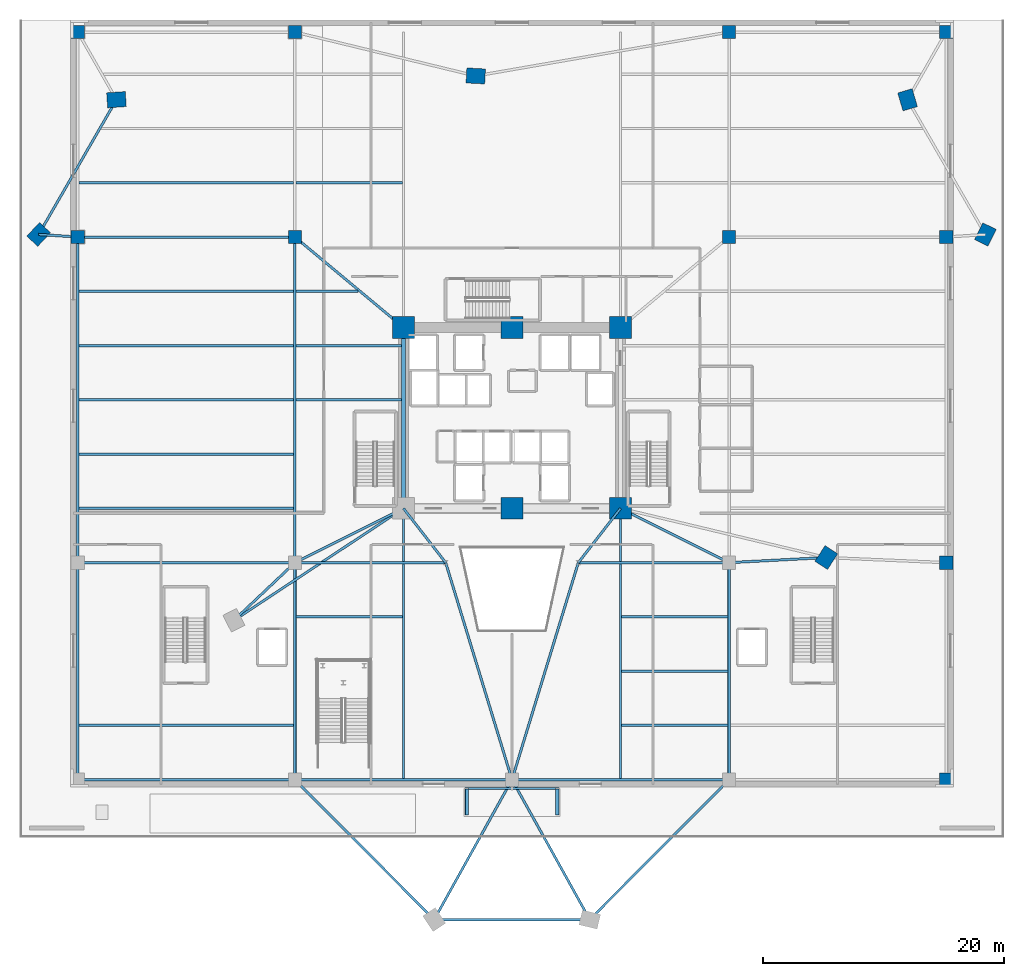
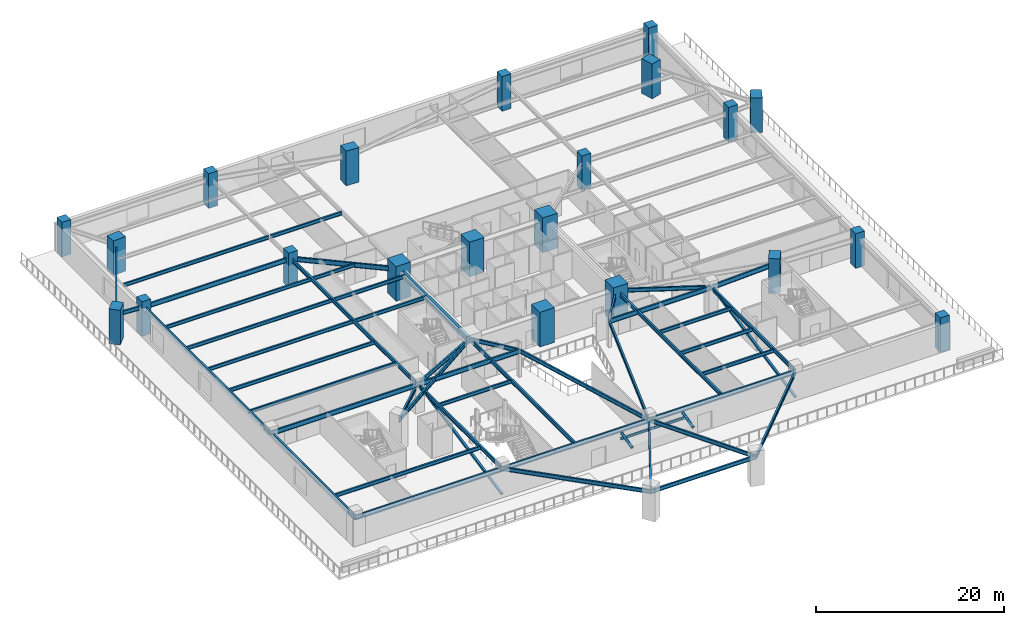
# One storey, part 3 of 19: 48 beams, 21 columns, 4 members.
"""IFC4 building model written with IfcOpenShell, lengths in metres."""

import ifcopenshell
import ifcopenshell.guid

model = None  # the IFC model being written
_history = None  # IfcOwnerHistory: only IFC2X3 demands one
_inside = {}  # id of a spatial element -> (the spatial element, [elements in it])
_under = {}  # id of a project, library or spatial element -> (it, [spatial elements below it])
_declared = {}  # id of a project -> (the project, [libraries it declares])
_typed = {}  # id of a type object -> (the type object, [elements of that type])
_made_of = {}  # id of a material, layer set ... -> (it, [elements and type objects made of it])


def new_model(schema):
    """Start an empty IFC model of exactly this schema.

    Asked for "IFC4X3", IfcOpenShell would pick the latest addendum, in which some entities
    have other attributes; the version numbers below select the first issue.
    IFC2X3 requires an IfcOwnerHistory on every rooted entity: one is made here for all.
    """
    global model, _history
    if schema == "IFC4X3":
        model = ifcopenshell.file(schema_version=(4, 3, 0, 0))
    else:
        model = ifcopenshell.file(schema=schema)
    _inside.clear()
    _under.clear()
    _declared.clear()
    _typed.clear()
    _made_of.clear()
    _history = None
    if model.schema == "IFC2X3":
        org = make("IfcOrganization", Name="unknown")
        user = make(
            "IfcPersonAndOrganization",
            ThePerson=make("IfcPerson", FamilyName="unknown"),
            TheOrganization=org,
        )
        app = make(
            "IfcApplication",
            ApplicationDeveloper=org,
            Version="unknown",
            ApplicationFullName="unknown",
            ApplicationIdentifier="unknown",
        )
        _history = make(
            "IfcOwnerHistory",
            OwningUser=user,
            OwningApplication=app,
            ChangeAction="ADDED",
            CreationDate=0,
        )
    return model


def make(cls, **values):
    """One entity of the class cls with the attributes given. An attribute that is None is left unset."""
    return model.create_entity(
        cls, **{name: value for name, value in values.items() if value is not None}
    )


def rooted(cls, **values):
    """An entity with a GlobalId (a new one), such as an element, a storey or a relation."""
    return make(cls, GlobalId=ifcopenshell.guid.new(), OwnerHistory=_history, **values)


def si_unit(unit_type, name, prefix=None):
    """IfcSIUnit, for example si_unit("LENGTHUNIT", "METRE", prefix="MILLI")."""
    return make("IfcSIUnit", UnitType=unit_type, Prefix=prefix, Name=name)


def assignment(units):
    """IfcUnitAssignment: the units of a project."""
    return None if units is None else make("IfcUnitAssignment", Units=units)


def point(xyz):
    """IfcCartesianPoint."""
    return None if xyz is None else make("IfcCartesianPoint", Coordinates=xyz)


def direction(xyz):
    """IfcDirection."""
    return None if xyz is None else make("IfcDirection", DirectionRatios=xyz)


def frame(location, z_axis=None, x_axis=None):
    """IfcAxis2Placement3D, a coordinate frame: its origin and axes. An axis left out is left unset."""
    return make(
        "IfcAxis2Placement3D",
        Location=point(location),
        Axis=direction(z_axis),
        RefDirection=direction(x_axis),
    )


def frame_2d(location, x_axis=None):
    """IfcAxis2Placement2D, a coordinate frame in the plane: its origin and x axis."""
    return make(
        "IfcAxis2Placement2D", Location=point(location), RefDirection=direction(x_axis)
    )


def origin():
    """The frame at (0, 0, 0) with its axes left unset."""
    return frame((0.0, 0.0, 0.0))


def origin_2d():
    """The frame at (0, 0) in the plane with its x axis left unset."""
    return frame_2d((0.0, 0.0))


def place(relative_to, where):
    """IfcLocalPlacement: puts the frame where relative to a parent placement (None: the world)."""
    return make(
        "IfcLocalPlacement", PlacementRelTo=relative_to, RelativePlacement=where
    )


def context(
    kind, dimensions, precision=None, world=None, true_north=None, identifier=None
):
    """IfcGeometricRepresentationContext, for example the 3D "Model" context."""
    return make(
        "IfcGeometricRepresentationContext",
        ContextIdentifier=identifier,
        ContextType=kind,
        CoordinateSpaceDimension=dimensions,
        Precision=precision,
        WorldCoordinateSystem=world,
        TrueNorth=true_north,
    )


def subcontext(parent, identifier, kind, view, scale=None):
    """IfcGeometricRepresentationSubContext, for example "Body" below "Model"."""
    return make(
        "IfcGeometricRepresentationSubContext",
        ContextIdentifier=identifier,
        ContextType=kind,
        ParentContext=parent,
        TargetScale=scale,
        TargetView=view,
    )


def project(units=None, contexts=None):
    """IfcProject with its units and contexts."""
    return rooted(
        "IfcProject",
        Name="project",
        RepresentationContexts=contexts,
        UnitsInContext=assignment(units),
    )


def spatial(cls, under=None, at=None, **own):
    """A site, building, storey or space (cls), placed at a placement, below another one or the project."""
    s = rooted(cls, ObjectPlacement=at, **own)
    if under is not None:
        _under.setdefault(under.id(), (under, []))[1].append(s)
    return s


def profile(cls, at=None, kind="AREA", **sizes):
    """A parametric profile (cls). Its sizes go by their IFC names, for example OverallWidth=200.0."""
    return make(cls, ProfileType=kind, Position=at, **sizes)


def rectangle(**sizes):
    """IfcRectangleProfileDef."""
    return profile("IfcRectangleProfileDef", **sizes)


def hollow_rectangle(**sizes):
    """IfcRectangleHollowProfileDef."""
    return profile("IfcRectangleHollowProfileDef", **sizes)


def hollow_circle(**sizes):
    """IfcCircleHollowProfileDef."""
    return profile("IfcCircleHollowProfileDef", **sizes)


def i_section(**sizes):
    """IfcIShapeProfileDef."""
    return profile("IfcIShapeProfileDef", **sizes)


def extrude(swept, where, along, depth):
    """IfcExtrudedAreaSolid: the profile swept, set in the frame where, extruded along a direction by depth."""
    return make(
        "IfcExtrudedAreaSolid",
        SweptArea=swept,
        Position=where,
        ExtrudedDirection=direction(along),
        Depth=depth,
    )


def shape(context_of_items, identifier, shape_type, items):
    """IfcShapeRepresentation: the items that make up one representation, for example the "Body"."""
    return make(
        "IfcShapeRepresentation",
        ContextOfItems=context_of_items,
        RepresentationIdentifier=identifier,
        RepresentationType=shape_type,
        Items=items,
    )


def source(mapping_origin, context_of_items, identifier, shape_type, items):
    """IfcRepresentationMap: a shape defined once, which mapped items show again and again."""
    return make(
        "IfcRepresentationMap",
        MappingOrigin=mapping_origin,
        MappedRepresentation=shape(context_of_items, identifier, shape_type, items),
    )


def transform(
    local_origin,
    x_axis=None,
    y_axis=None,
    z_axis=None,
    scale=None,
    scale2=None,
    scale3=None,
    uniform=True,
):
    """IfcCartesianTransformationOperator3D, or its non-uniform kind. x_axis, y_axis, z_axis: its Axis1, 2, 3."""
    if uniform:
        return make(
            "IfcCartesianTransformationOperator3D",
            Axis1=direction(x_axis),
            Axis2=direction(y_axis),
            LocalOrigin=point(local_origin),
            Scale=scale,
            Axis3=direction(z_axis),
        )
    return make(
        "IfcCartesianTransformationOperator3DnonUniform",
        Axis1=direction(x_axis),
        Axis2=direction(y_axis),
        LocalOrigin=point(local_origin),
        Scale=scale,
        Axis3=direction(z_axis),
        Scale2=scale2,
        Scale3=scale3,
    )


def mapped(mapping_source, mapping_target):
    """IfcMappedItem: shows the shape of a source again, moved by a transform."""
    return make(
        "IfcMappedItem", MappingSource=mapping_source, MappingTarget=mapping_target
    )


def material(Name=None, Category=None):
    """IfcMaterial."""
    return make("IfcMaterial", Name=Name, Category=Category)


def material_profile(
    of_material, cross_section, Name=None, Category=None, Priority=None
):
    """IfcMaterialProfile: a cross section and its material."""
    return make(
        "IfcMaterialProfile",
        Name=Name,
        Material=of_material,
        Profile=cross_section,
        Priority=Priority,
        Category=Category,
    )


def profile_set(profiles, Name=None, composite=None):
    """IfcMaterialProfileSet."""
    return make(
        "IfcMaterialProfileSet",
        Name=Name,
        MaterialProfiles=profiles,
        CompositeProfile=composite,
    )


def made_of(thing, what):
    """Note that an element or type object is made of a material, layer set ...; save() writes the relation."""
    if what is not None:
        _made_of.setdefault(what.id(), (what, []))[1].append(thing)
    return thing


def type_object(cls, material=None, **own):
    """A type object (cls), such as IfcWallType, which elements share."""
    return made_of(rooted(cls, **own), material)


def element(
    cls,
    number,
    at=None,
    inside=None,
    cuts=None,
    type_object=None,
    material=None,
    context=None,
    identifier="Body",
    shape_type=None,
    held_by="IfcProductDefinitionShape",
    body=None,
    shapes=None,
    **own,
):
    """One element of the class cls, such as IfcWall. Its Tag is "e" and its number.

    at: its placement. inside: the storey or other place that contains it. cuts: it is an
    opening in that element (IfcRelVoidsElement). A single representation is given by context,
    identifier, shape_type and body (its items); several are given by shapes. held_by: the class
    of the entity that holds the representations. save() writes the other relations.
    """
    e = rooted(cls, Tag="e%d" % number, ObjectPlacement=at, **own)
    if body is not None:
        shapes = [shape(context, identifier, shape_type, body)]
    if shapes is not None:
        e.Representation = make(held_by, Representations=shapes)
    if inside is not None:
        _inside.setdefault(inside.id(), (inside, []))[1].append(e)
    if cuts is not None:
        rooted(
            "IfcRelVoidsElement", RelatingBuildingElement=cuts, RelatedOpeningElement=e
        )
    if type_object is not None:
        _typed.setdefault(type_object.id(), (type_object, []))[1].append(e)
    return made_of(e, material)


def aggregate(whole, parts):
    """IfcRelAggregates: a whole, such as a stair, and the parts it consists of."""
    return rooted("IfcRelAggregates", RelatingObject=whole, RelatedObjects=parts)


def save(model, path):
    """Write the relations noted so far, then the file.

    IfcRelAggregates (storeys below a building ...), IfcRelContainedInSpatialStructure (elements
    in a storey), IfcRelDefinesByType, IfcRelAssociatesMaterial and IfcRelDeclares: one each for
    every whole, place, type object, material and project.
    """
    for whole, parts in _under.values():
        aggregate(whole, parts)
    for where, things in _inside.values():
        rooted(
            "IfcRelContainedInSpatialStructure",
            RelatedElements=things,
            RelatingStructure=where,
        )
    for kind, things in _typed.values():
        rooted("IfcRelDefinesByType", RelatedObjects=things, RelatingType=kind)
    for what, things in _made_of.values():
        rooted("IfcRelAssociatesMaterial", RelatedObjects=things, RelatingMaterial=what)
    for by, libraries in _declared.values():
        rooted("IfcRelDeclares", RelatingContext=by, RelatedDefinitions=libraries)
    model.write(path)


model = new_model("IFC4")

# Units and contexts
model_context = context("Model", 3, precision=1e-05, world=origin(), true_north=direction((0.0, 1.0)))
body_context = subcontext(model_context, "Body", "Model", "MODEL_VIEW")
ifc_project = project(units=[si_unit("LENGTHUNIT", "METRE"), si_unit("AREAUNIT", "SQUARE_METRE"), si_unit("VOLUMEUNIT", "CUBIC_METRE"), si_unit("PLANEANGLEUNIT", "RADIAN"), si_unit("MASSUNIT", "GRAM", prefix="KILO")], contexts=[model_context])

# Site, building, storey
site_placement = place(None, origin())
site = spatial("IfcSite", under=ifc_project, at=site_placement, CompositionType="ELEMENT")
building_placement = place(site_placement, origin())
building = spatial("IfcBuilding", under=site, at=building_placement, Name="Liaohun Quay Tower", CompositionType="ELEMENT")
storey_placement = place(building_placement, frame((0.0, 0.0, 18.89990234375)))
storey = spatial("IfcBuildingStorey", under=building, at=storey_placement, Name="L05", CompositionType="ELEMENT", Elevation=18.89990234375)

# Columns
ifc_material_1 = material(Name="Concrete C60", Category="concrete")
ifc_material_profile_1 = material_profile(ifc_material_1, rectangle(XDim=1.800048828125, YDim=1.800048828125, at=origin_2d()), Name="RC1800x1800")
ifc_profile_set_1 = profile_set([ifc_material_profile_1], Name="Concrete C60")
column_type_1 = type_object("IfcColumnType", Name="COL-CC-B", PredefinedType="COLUMN", material=ifc_profile_set_1)
shared_shape_1 = source(origin(), body_context, "Body", "SweptSolid", [
    extrude(rectangle(XDim=1.800048828125, YDim=1.800048828125, at=origin_2d()), origin(), (0.0, 0.0, 1.0), 4.5),
])
for number, where, z_axis, x_axis, name in (
    (1, (60.0, 46.5, 0.0), (0.0, 0.0, 1.0), (1.0, 0.0, 0.0), "L05 Core Column CC2"),
    (2, (69.0, 46.5, 0.0), (0.0, 0.0, 1.0), (1.0, 0.0, 0.0), "L05 Core Column CC3"),
    (3, (69.0, 61.5, 0.0), (0.0, 0.0, 1.0), (1.0, 0.0, 0.0), "L05 Core Column CC4"),
    (4, (60.0, 61.5, 0.0), (0.0, 0.0, 1.0), (1.0, 0.0, 0.0), "L05 Core Column CC5"),
    (5, (51.0, 61.5, 0.0), (0.0, 0.0, 1.0), (1.0, 0.0, 0.0), "L05 Core Column CC6"),
):
    element("IfcColumn", number, at=place(storey_placement, frame(where, z_axis=z_axis, x_axis=x_axis)), inside=storey, type_object=column_type_1, Name=name, PredefinedType="COLUMN", context=body_context, shape_type="MappedRepresentation", body=[
        mapped(shared_shape_1, transform((0.0, 0.0, 0.0), x_axis=(1.0, 0.0, 0.0), y_axis=(0.0, 1.0, 0.0), z_axis=(0.0, 0.0, 1.0), scale=1.0)),
    ])
ifc_material_profile_2 = material_profile(ifc_material_1, rectangle(XDim=1.550048828125, YDim=1.25, at=origin_2d()), Name="RC1550x1250")
ifc_profile_set_2 = profile_set([ifc_material_profile_2], Name="Concrete C60")
column_type_2 = type_object("IfcColumnType", Name="COL-PIER-Z1", PredefinedType="COLUMN", material=ifc_profile_set_2)
shared_shape_2 = source(origin(), body_context, "Body", "SweptSolid", [
    extrude(rectangle(XDim=1.550048828125, YDim=1.25, at=origin_2d()), origin(), (0.0, 0.0, 1.0), 4.5),
])
for number, where, z_axis, x_axis, name in (
    (6, (20.748046875, 69.217041015625, 0.0), (0.0, 0.0, 1.0), (0.68936671806, 0.724412539946, 0.0), "L05 Tower Mega-Pier PC03"),
    (7, (27.198974609375, 80.39111328125, 0.0), (0.0, 0.0, 1.0), (0.997824541457, 0.065925597951, 0.0), "L05 Tower Mega-Pier PC05"),
    (8, (92.802978515625, 80.384033203125, 0.0), (0.0, 0.0, 1.0), (-0.282676303383, 0.959215360337, 0.0), "L05 Tower Mega-Pier PC07"),
    (9, (99.256103515625, 69.2119140625, 0.0), (0.0, 0.0, 1.0), (0.441819028143, 0.897104200397, 0.0), "L05 Tower Mega-Pier PC09"),
    (10, (56.9951171875, 82.360107421875, 0.0), (0.0, 0.0, 1.0), (-0.998479491627, 0.055124448298, 0.0), "L05 Tower Mega-Pier PC06"),
    (11, (86.06396484375, 42.423095703125, 0.0), (0.0, 0.0, 1.0), (0.546978918409, 0.837146380758, 0.0), "L05 Tower Mega-Pier PC10"),
):
    element("IfcColumn", number, at=place(storey_placement, frame(where, z_axis=z_axis, x_axis=x_axis)), inside=storey, type_object=column_type_2, Name=name, PredefinedType="COLUMN", context=body_context, shape_type="MappedRepresentation", body=[
        mapped(shared_shape_2, transform((0.0, 0.0, 0.0), x_axis=(1.0, 0.0, 0.0), y_axis=(0.0, 1.0, 0.0), z_axis=(0.0, 0.0, 1.0), scale=1.0)),
    ])
ifc_material_2 = material(Name="Concrete C55", Category="concrete")
ifc_material_profile_3 = material_profile(ifc_material_2, rectangle(XDim=1.10009765625, YDim=1.10009765625, at=origin_2d()), Name="RC1100x1100")
ifc_profile_set_3 = profile_set([ifc_material_profile_3], Name="Concrete C55")
column_type_3 = type_object("IfcColumnType", Name="COL-POD-P", PredefinedType="COLUMN", material=ifc_profile_set_3)
shared_shape_3 = source(origin(), body_context, "Body", "SweptSolid", [
    extrude(rectangle(XDim=1.10009765625, YDim=1.10009765625, at=origin_2d()), origin(), (0.0, 0.0, 1.0), 4.5),
])
for number, where, z_axis, x_axis, name in (
    (12, (96.0, 24.0, 0.0), (0.0, 0.0, 1.0), (1.0, 0.0, 0.0), "L05 Podium Column PG05"),
    (13, (96.0, 42.0, 0.0), (0.0, 0.0, 1.0), (1.0, 0.0, 0.0), "L05 Podium Column PG09"),
    (14, (24.0, 69.0, 0.0), (0.0, 0.0, 1.0), (1.0, 0.0, 0.0), "L05 Podium Column PG10"),
    (15, (42.0, 69.0, 0.0), (0.0, 0.0, 1.0), (1.0, 0.0, 0.0), "L05 Podium Column PG11"),
    (16, (78.0, 69.0, 0.0), (0.0, 0.0, 1.0), (1.0, 0.0, 0.0), "L05 Podium Column PG12"),
    (17, (96.0, 69.0, 0.0), (0.0, 0.0, 1.0), (1.0, 0.0, 0.0), "L05 Podium Column PG13"),
    (18, (24.0, 86.0, 0.0), (0.0, 0.0, 1.0), (1.0, 0.0, 0.0), "L05 Podium Column PG14"),
    (19, (42.0, 86.0, 0.0), (0.0, 0.0, 1.0), (1.0, 0.0, 0.0), "L05 Podium Column PG15"),
    (20, (78.0, 86.0, 0.0), (0.0, 0.0, 1.0), (1.0, 0.0, 0.0), "L05 Podium Column PG17"),
    (21, (96.0, 86.0, 0.0), (0.0, 0.0, 1.0), (1.0, 0.0, 0.0), "L05 Podium Column PG18"),
):
    element("IfcColumn", number, at=place(storey_placement, frame(where, z_axis=z_axis, x_axis=x_axis)), inside=storey, type_object=column_type_3, Name=name, PredefinedType="COLUMN", context=body_context, shape_type="MappedRepresentation", body=[
        mapped(shared_shape_3, transform((0.0, 0.0, 0.0), x_axis=(1.0, 0.0, 0.0), y_axis=(0.0, 1.0, 0.0), z_axis=(0.0, 0.0, 1.0), scale=1.0)),
    ])

# Beams
ifc_material_3 = material(Name="Steel Q355D", Category="steel")
ifc_material_profile_4 = material_profile(ifc_material_3, i_section(OverallWidth=0.300048828125, OverallDepth=0.800048828125, WebThickness=0.013916015625, FlangeThickness=0.02587890625, at=origin_2d()), Name="HN800x300x14x26")
ifc_profile_set_4 = profile_set([ifc_material_profile_4], Name="Steel Q355D")
beam_type_1 = type_object("IfcBeamType", Name="BM-RAD-M1", PredefinedType="BEAM", material=ifc_profile_set_4)
shared_shape_4 = source(origin(), body_context, "Body", "SweptSolid", [
    extrude(i_section(OverallWidth=0.300048828125, OverallDepth=0.800048828125, WebThickness=0.013916015625, FlangeThickness=0.02587890625, at=origin_2d()), origin(), (0.0, 0.0, 1.0), 15.0),
])
beam_1_placement = place(storey_placement, frame((51.0, 61.5, 3.2001953125), z_axis=(0.0, -1.0, 0.0), x_axis=(1.0, 0.0, 0.0)))
element("IfcBeam", 22, at=beam_1_placement, inside=storey, type_object=beam_type_1, Name="L05 Core Coupling/Ring Beam CC6-CC1", PredefinedType="BEAM", context=body_context, shape_type="MappedRepresentation", body=[
    mapped(shared_shape_4, transform((0.0, 0.0, 0.0), x_axis=(1.0, 0.0, 0.0), y_axis=(0.0, 1.0, 0.0), z_axis=(0.0, 0.0, 1.0), scale=1.0)),
])
ifc_material_profile_5 = material_profile(ifc_material_3, i_section(OverallWidth=0.199951171875, OverallDepth=0.5, WebThickness=0.010009765625, FlangeThickness=0.01611328125, at=origin_2d()), Name="HN500x200x10x16")
ifc_profile_set_5 = profile_set([ifc_material_profile_5], Name="Steel Q355D")
beam_type_2 = type_object("IfcBeamType", Name="BM-POD-G3", PredefinedType="BEAM", material=ifc_profile_set_5)
shared_shape_5 = source(origin(), body_context, "Body", "SweptSolid", [
    extrude(i_section(OverallWidth=0.199951171875, OverallDepth=0.5, WebThickness=0.010009765625, FlangeThickness=0.01611328125, at=origin_2d()), origin(), (0.0, 0.0, 1.0), 27.0),
])
for number, where, z_axis, x_axis, name in (
    (23, (24.0, 42.0, 3.35009765625), (0.0, 1.0, 0.0), (-1.0, 0.0, 0.0), "L05 Primary Grid Girder PG06-PG10"),
    (24, (42.0, 42.0, 3.35009765625), (0.0, 1.0, 0.0), (-1.0, 0.0, 0.0), "L05 Primary Grid Girder PG07-PG11"),
):
    element("IfcBeam", number, at=place(storey_placement, frame(where, z_axis=z_axis, x_axis=x_axis)), inside=storey, type_object=beam_type_2, Name=name, PredefinedType="BEAM", context=body_context, shape_type="MappedRepresentation", body=[
        mapped(shared_shape_5, transform((0.0, 0.0, 0.0), x_axis=(1.0, 0.0, 0.0), y_axis=(0.0, 1.0, 0.0), z_axis=(0.0, 0.0, 1.0), scale=1.0)),
    ])
shared_shape_6 = source(origin(), body_context, "Body", "SweptSolid", [
    extrude(i_section(OverallWidth=0.199951171875, OverallDepth=0.5, WebThickness=0.010009765625, FlangeThickness=0.01611328125, at=origin_2d()), origin(), (0.0, 0.0, 1.0), 18.0),
])
for number, where, z_axis, x_axis, name in (
    (25, (42.0, 24.0, 3.35009765625), (0.0, 1.0, 0.0), (-1.0, 0.0, 0.0), "L05 Primary Grid Girder PG02-PG07"),
    (26, (78.0, 24.0, 3.35009765625), (0.0, 1.0, 0.0), (-1.0, 0.0, 0.0), "L05 Primary Grid Girder PG04-PG08"),
):
    element("IfcBeam", number, at=place(storey_placement, frame(where, z_axis=z_axis, x_axis=x_axis)), inside=storey, type_object=beam_type_2, Name=name, PredefinedType="BEAM", context=body_context, shape_type="MappedRepresentation", body=[
        mapped(shared_shape_6, transform((0.0, 0.0, 0.0), x_axis=(1.0, 0.0, 0.0), y_axis=(0.0, 1.0, 0.0), z_axis=(0.0, 0.0, 1.0), scale=1.0)),
    ])
shared_shape_7 = source(origin(), body_context, "Body", "SweptSolid", [
    extrude(i_section(OverallWidth=0.199951171875, OverallDepth=0.5, WebThickness=0.010009765625, FlangeThickness=0.01611328125, at=origin_2d()), origin(), (0.0, 0.0, 1.0), 10.062255859375),
])
for number, where, z_axis, x_axis, name in (
    (27, (42.0, 42.0, 3.35009765625), (0.894427191, 0.4472135955, 0.0), (-0.4472135955, 0.894427191, 0.0), "L05 Primary Grid Girder PG07-CC1"),
    (28, (78.0, 42.0, 3.35009765625), (-0.894427191, 0.4472135955, 0.0), (-0.4472135955, -0.894427191, 0.0), "L05 Primary Grid Girder PG08-CC3"),
):
    element("IfcBeam", number, at=place(storey_placement, frame(where, z_axis=z_axis, x_axis=x_axis)), inside=storey, type_object=beam_type_2, Name=name, PredefinedType="BEAM", context=body_context, shape_type="MappedRepresentation", body=[
        mapped(shared_shape_7, transform((0.0, 0.0, 0.0), x_axis=(1.0, 0.0, 0.0), y_axis=(0.0, 1.0, 0.0), z_axis=(0.0, 0.0, 1.0), scale=1.0)),
    ])
shared_shape_8 = source(origin(), body_context, "Body", "SweptSolid", [
    extrude(i_section(OverallWidth=0.199951171875, OverallDepth=0.5, WebThickness=0.010009765625, FlangeThickness=0.01611328125, at=origin_2d()), origin(), (0.0, 0.0, 1.0), 18.821533203125),
])
for number, where, z_axis, x_axis, name in (
    (29, (60.0, 24.0, 3.35009765625), (-0.292218535599, 0.956351571051, 0.0), (-0.956351571051, -0.292218535599, 0.0), "L05 Primary Grid Girder PG03-AT1"),
    (30, (60.0, 24.0, 3.35009765625), (0.292218535599, 0.956351571051, 0.0), (-0.956351571051, 0.292218535599, 0.0), "L05 Primary Grid Girder PG03-AT2"),
):
    element("IfcBeam", number, at=place(storey_placement, frame(where, z_axis=z_axis, x_axis=x_axis)), inside=storey, type_object=beam_type_2, Name=name, PredefinedType="BEAM", context=body_context, shape_type="MappedRepresentation", body=[
        mapped(shared_shape_8, transform((0.0, 0.0, 0.0), x_axis=(1.0, 0.0, 0.0), y_axis=(0.0, 1.0, 0.0), z_axis=(0.0, 0.0, 1.0), scale=1.0)),
    ])
shared_shape_9 = source(origin(), body_context, "Body", "SweptSolid", [
    extrude(i_section(OverallWidth=0.199951171875, OverallDepth=0.5, WebThickness=0.010009765625, FlangeThickness=0.01611328125, at=origin_2d()), origin(), (0.0, 0.0, 1.0), 5.700927734375),
])
for number, where, z_axis, x_axis, name in (
    (31, (54.5, 42.0, 3.35009765625), (-0.613940613515, 0.789352217376, 0.0), (-0.789352217376, -0.613940613515, 0.0), "L05 Primary Grid Girder AT1-CC1"),
    (32, (65.5, 42.0, 3.35009765625), (0.613940613515, 0.789352217376, 0.0), (-0.789352217376, 0.613940613515, 0.0), "L05 Primary Grid Girder AT2-CC3"),
):
    element("IfcBeam", number, at=place(storey_placement, frame(where, z_axis=z_axis, x_axis=x_axis)), inside=storey, type_object=beam_type_2, Name=name, PredefinedType="BEAM", context=body_context, shape_type="MappedRepresentation", body=[
        mapped(shared_shape_9, transform((0.0, 0.0, 0.0), x_axis=(1.0, 0.0, 0.0), y_axis=(0.0, 1.0, 0.0), z_axis=(0.0, 0.0, 1.0), scale=1.0)),
    ])
shared_shape_10 = source(origin(), body_context, "Body", "SweptSolid", [
    extrude(i_section(OverallWidth=0.199951171875, OverallDepth=0.5, WebThickness=0.010009765625, FlangeThickness=0.01611328125, at=origin_2d()), origin(), (0.0, 0.0, 1.0), 16.368896484375),
])
beam_2_placement = place(storey_placement, frame((53.5458984375, 12.39697265625, 3.35009765625), z_axis=(-0.705359574392, 0.708849681395, 0.0), x_axis=(-0.708849681395, -0.705359574392, 0.0)))
element("IfcBeam", 33, at=beam_2_placement, inside=storey, type_object=beam_type_2, Name="L05 Primary Grid Girder PC01-PG02", PredefinedType="BEAM", context=body_context, shape_type="MappedRepresentation", body=[
    mapped(shared_shape_10, transform((0.0, 0.0, 0.0), x_axis=(1.0, 0.0, 0.0), y_axis=(0.0, 1.0, 0.0), z_axis=(0.0, 0.0, 1.0), scale=1.0)),
])
shared_shape_11 = source(origin(), body_context, "Body", "SweptSolid", [
    extrude(i_section(OverallWidth=0.199951171875, OverallDepth=0.5, WebThickness=0.010009765625, FlangeThickness=0.01611328125, at=origin_2d()), origin(), (0.0, 0.0, 1.0), 13.27734375),
])
beam_3_placement = place(storey_placement, frame((53.5458984375, 12.39697265625, 3.35009765625), z_axis=(0.486101867227, 0.87390215395, 0.0), x_axis=(-0.87390215395, 0.486101867227, 0.0)))
element("IfcBeam", 34, at=beam_3_placement, inside=storey, type_object=beam_type_2, Name="L05 Primary Grid Girder PC01-PG03", PredefinedType="BEAM", context=body_context, shape_type="MappedRepresentation", body=[
    mapped(shared_shape_11, transform((0.0, 0.0, 0.0), x_axis=(1.0, 0.0, 0.0), y_axis=(0.0, 1.0, 0.0), z_axis=(0.0, 0.0, 1.0), scale=1.0)),
])
shared_shape_12 = source(origin(), body_context, "Body", "SweptSolid", [
    extrude(i_section(OverallWidth=0.199951171875, OverallDepth=0.5, WebThickness=0.010009765625, FlangeThickness=0.01611328125, at=origin_2d()), origin(), (0.0, 0.0, 1.0), 13.272705078125),
])
beam_4_placement = place(storey_placement, frame((66.447998046875, 12.39892578125, 3.35009765625), z_axis=(-0.485813156466, 0.874062684826, 0.0), x_axis=(-0.874062684826, -0.485813156466, 0.0)))
element("IfcBeam", 35, at=beam_4_placement, inside=storey, type_object=beam_type_2, Name="L05 Primary Grid Girder PC11-PG03", PredefinedType="BEAM", context=body_context, shape_type="MappedRepresentation", body=[
    mapped(shared_shape_12, transform((0.0, 0.0, 0.0), x_axis=(1.0, 0.0, 0.0), y_axis=(0.0, 1.0, 0.0), z_axis=(0.0, 0.0, 1.0), scale=1.0)),
])
shared_shape_13 = source(origin(), body_context, "Body", "SweptSolid", [
    extrude(i_section(OverallWidth=0.199951171875, OverallDepth=0.5, WebThickness=0.010009765625, FlangeThickness=0.01611328125, at=origin_2d()), origin(), (0.0, 0.0, 1.0), 16.371826171875),
])
beam_5_placement = place(storey_placement, frame((66.447998046875, 12.39892578125, 3.35009765625), z_axis=(0.705606504265, 0.708603881685, 0.0), x_axis=(-0.708603881685, 0.705606504265, 0.0)))
element("IfcBeam", 36, at=beam_5_placement, inside=storey, type_object=beam_type_2, Name="L05 Primary Grid Girder PC11-PG04", PredefinedType="BEAM", context=body_context, shape_type="MappedRepresentation", body=[
    mapped(shared_shape_13, transform((0.0, 0.0, 0.0), x_axis=(1.0, 0.0, 0.0), y_axis=(0.0, 1.0, 0.0), z_axis=(0.0, 0.0, 1.0), scale=1.0)),
])
shared_shape_14 = source(origin(), body_context, "Body", "SweptSolid", [
    extrude(i_section(OverallWidth=0.199951171875, OverallDepth=0.5, WebThickness=0.010009765625, FlangeThickness=0.01611328125, at=origin_2d()), origin(), (0.0, 0.0, 1.0), 12.902099609375),
])
beam_6_placement = place(storey_placement, frame((53.5458984375, 12.39697265625, 3.35009765625), z_axis=(0.999999988542, 0.000151380398, 0.0), x_axis=(-0.000151380398, 0.999999988542, 0.0)))
element("IfcBeam", 37, at=beam_6_placement, inside=storey, type_object=beam_type_2, Name="L05 Primary Grid Girder PC01-PC11", PredefinedType="BEAM", context=body_context, shape_type="MappedRepresentation", body=[
    mapped(shared_shape_14, transform((0.0, 0.0, 0.0), x_axis=(1.0, 0.0, 0.0), y_axis=(0.0, 1.0, 0.0), z_axis=(0.0, 0.0, 1.0), scale=1.0)),
])
shared_shape_15 = source(origin(), body_context, "Body", "SweptSolid", [
    extrude(i_section(OverallWidth=0.199951171875, OverallDepth=0.5, WebThickness=0.010009765625, FlangeThickness=0.01611328125, at=origin_2d()), origin(), (0.0, 0.0, 1.0), 6.962158203125),
])
beam_7_placement = place(storey_placement, frame((36.94091796875, 37.217041015625, 3.35009765625), z_axis=(0.726659067673, 0.686998252813, 0.0), x_axis=(-0.686998252813, 0.726659067673, 0.0)))
element("IfcBeam", 38, at=beam_7_placement, inside=storey, type_object=beam_type_2, Name="L05 Primary Grid Girder PC02-PG07", PredefinedType="BEAM", context=body_context, shape_type="MappedRepresentation", body=[
    mapped(shared_shape_15, transform((0.0, 0.0, 0.0), x_axis=(1.0, 0.0, 0.0), y_axis=(0.0, 1.0, 0.0), z_axis=(0.0, 0.0, 1.0), scale=1.0)),
])
shared_shape_16 = source(origin(), body_context, "Body", "SweptSolid", [
    extrude(i_section(OverallWidth=0.199951171875, OverallDepth=0.5, WebThickness=0.010009765625, FlangeThickness=0.01611328125, at=origin_2d()), origin(), (0.0, 0.0, 1.0), 16.84716796875),
])
beam_8_placement = place(storey_placement, frame((36.94091796875, 37.217041015625, 3.35009765625), z_axis=(0.834501195619, 0.551006129285, 0.0), x_axis=(-0.551006129285, 0.834501195619, 0.0)))
element("IfcBeam", 39, at=beam_8_placement, inside=storey, type_object=beam_type_2, Name="L05 Primary Grid Girder PC02-CC1", PredefinedType="BEAM", context=body_context, shape_type="MappedRepresentation", body=[
    mapped(shared_shape_16, transform((0.0, 0.0, 0.0), x_axis=(1.0, 0.0, 0.0), y_axis=(0.0, 1.0, 0.0), z_axis=(0.0, 0.0, 1.0), scale=1.0)),
])
shared_shape_17 = source(origin(), body_context, "Body", "SweptSolid", [
    extrude(i_section(OverallWidth=0.199951171875, OverallDepth=0.5, WebThickness=0.010009765625, FlangeThickness=0.01611328125, at=origin_2d()), origin(), (0.0, 0.0, 1.0), 3.25927734375),
])
beam_9_placement = place(storey_placement, frame((20.748046875, 69.217041015625, 3.35009765625), z_axis=(0.997780183272, -0.066593587307, 0.0), x_axis=(0.066593587307, 0.997780183272, 0.0)))
element("IfcBeam", 40, at=beam_9_placement, inside=storey, type_object=beam_type_2, Name="L05 Primary Grid Girder PC03-PG10", PredefinedType="BEAM", context=body_context, shape_type="MappedRepresentation", body=[
    mapped(shared_shape_17, transform((0.0, 0.0, 0.0), x_axis=(1.0, 0.0, 0.0), y_axis=(0.0, 1.0, 0.0), z_axis=(0.0, 0.0, 1.0), scale=1.0)),
])
shared_shape_18 = source(origin(), body_context, "Body", "SweptSolid", [
    extrude(i_section(OverallWidth=0.199951171875, OverallDepth=0.5, WebThickness=0.010009765625, FlangeThickness=0.01611328125, at=origin_2d()), origin(), (0.0, 0.0, 1.0), 12.902587890625),
])
beam_10_placement = place(storey_placement, frame((20.748046875, 69.217041015625, 3.35009765625), z_axis=(0.49997524318, 0.866039696669, 0.0), x_axis=(-0.866039696669, 0.49997524318, 0.0)))
element("IfcBeam", 41, at=beam_10_placement, inside=storey, type_object=beam_type_2, Name="L05 Primary Grid Girder PC03-PC05", PredefinedType="BEAM", context=body_context, shape_type="MappedRepresentation", body=[
    mapped(shared_shape_18, transform((0.0, 0.0, 0.0), x_axis=(1.0, 0.0, 0.0), y_axis=(0.0, 1.0, 0.0), z_axis=(0.0, 0.0, 1.0), scale=1.0)),
])
ifc_material_profile_6 = material_profile(ifc_material_3, i_section(OverallWidth=0.199951171875, OverallDepth=0.449951171875, WebThickness=0.009033203125, FlangeThickness=0.013916015625, at=origin_2d()), Name="HN450x200x9x14")
ifc_profile_set_6 = profile_set([ifc_material_profile_6], Name="Steel Q355D")
beam_type_3 = type_object("IfcBeamType", Name="BM-SEC-J1", PredefinedType="JOIST", material=ifc_profile_set_6)
shared_shape_19 = source(origin(), body_context, "Body", "SweptSolid", [
    extrude(i_section(OverallWidth=0.199951171875, OverallDepth=0.449951171875, WebThickness=0.009033203125, FlangeThickness=0.013916015625, at=origin_2d()), origin(), (0.0, 0.0, 1.0), 8.7998046875),
])
for number, where, z_axis, x_axis, name in (
    (42, (42.10009765625, 37.5, 3.375), (1.0, 0.0, 0.0), (0.0, 1.0, 0.0), "L05 Composite Floor Joist SJ-14"),
    (43, (42.10009765625, 73.5, 3.375), (1.0, 0.0, 0.0), (0.0, 1.0, 0.0), "L05 Composite Floor Joist SJ-20"),
    (44, (69.10009765625, 28.5, 3.375), (1.0, 0.0, 0.0), (0.0, 1.0, 0.0), "L05 Composite Floor Joist SJ-23"),
    (45, (69.10009765625, 33.0, 3.375), (1.0, 0.0, 0.0), (0.0, 1.0, 0.0), "L05 Composite Floor Joist SJ-24"),
    (46, (69.10009765625, 37.5, 3.375), (1.0, 0.0, 0.0), (0.0, 1.0, 0.0), "L05 Composite Floor Joist SJ-25"),
):
    element("IfcBeam", number, at=place(storey_placement, frame(where, z_axis=z_axis, x_axis=x_axis)), inside=storey, type_object=beam_type_3, Name=name, PredefinedType="JOIST", context=body_context, shape_type="MappedRepresentation", body=[
        mapped(shared_shape_19, transform((0.0, 0.0, 0.0), x_axis=(1.0, 0.0, 0.0), y_axis=(0.0, 1.0, 0.0), z_axis=(0.0, 0.0, 1.0), scale=1.0)),
    ])
shared_shape_20 = source(origin(), body_context, "Body", "SweptSolid", [
    extrude(i_section(OverallWidth=0.199951171875, OverallDepth=0.449951171875, WebThickness=0.009033203125, FlangeThickness=0.013916015625, at=origin_2d()), origin(), (0.0, 0.0, 1.0), 17.7998046875),
])
for number, where, z_axis, x_axis, name in (
    (47, (24.10009765625, 28.5, 3.375), (1.0, 0.0, 0.0), (0.0, 1.0, 0.0), "L05 Composite Floor Joist SJ-01"),
    (48, (24.10009765625, 46.5, 3.375), (1.0, 0.0, 0.0), (0.0, 1.0, 0.0), "L05 Composite Floor Joist SJ-04"),
    (49, (24.10009765625, 51.0, 3.375), (1.0, 0.0, 0.0), (0.0, 1.0, 0.0), "L05 Composite Floor Joist SJ-05"),
    (50, (24.10009765625, 55.5, 3.375), (1.0, 0.0, 0.0), (0.0, 1.0, 0.0), "L05 Composite Floor Joist SJ-06"),
    (51, (24.10009765625, 60.0, 3.375), (1.0, 0.0, 0.0), (0.0, 1.0, 0.0), "L05 Composite Floor Joist SJ-07"),
    (52, (24.10009765625, 64.5, 3.375), (1.0, 0.0, 0.0), (0.0, 1.0, 0.0), "L05 Composite Floor Joist SJ-08"),
    (53, (24.10009765625, 73.5, 3.375), (1.0, 0.0, 0.0), (0.0, 1.0, 0.0), "L05 Composite Floor Joist SJ-09"),
):
    element("IfcBeam", number, at=place(storey_placement, frame(where, z_axis=z_axis, x_axis=x_axis)), inside=storey, type_object=beam_type_3, Name=name, PredefinedType="JOIST", context=body_context, shape_type="MappedRepresentation", body=[
        mapped(shared_shape_20, transform((0.0, 0.0, 0.0), x_axis=(1.0, 0.0, 0.0), y_axis=(0.0, 1.0, 0.0), z_axis=(0.0, 0.0, 1.0), scale=1.0)),
    ])
shared_shape_21 = source(origin(), body_context, "Body", "SweptSolid", [
    extrude(i_section(OverallWidth=0.199951171875, OverallDepth=0.449951171875, WebThickness=0.009033203125, FlangeThickness=0.013916015625, at=origin_2d()), origin(), (0.0, 0.0, 1.0), 8.75),
])
for number, where, z_axis, x_axis, name in (
    (54, (42.10009765625, 55.5, 3.375), (1.0, 0.0, 0.0), (0.0, 1.0, 0.0), "L05 Composite Floor Joist SJ-17"),
    (55, (42.10009765625, 60.0, 3.375), (1.0, 0.0, 0.0), (0.0, 1.0, 0.0), "L05 Composite Floor Joist SJ-18"),
):
    element("IfcBeam", number, at=place(storey_placement, frame(where, z_axis=z_axis, x_axis=x_axis)), inside=storey, type_object=beam_type_3, Name=name, PredefinedType="JOIST", context=body_context, shape_type="MappedRepresentation", body=[
        mapped(shared_shape_21, transform((0.0, 0.0, 0.0), x_axis=(1.0, 0.0, 0.0), y_axis=(0.0, 1.0, 0.0), z_axis=(0.0, 0.0, 1.0), scale=1.0)),
    ])
ifc_material_profile_7 = material_profile(ifc_material_3, i_section(OverallWidth=0.199951171875, OverallDepth=0.60009765625, WebThickness=0.010986328125, FlangeThickness=0.01708984375, at=origin_2d()), Name="HN600x200x11x17")
ifc_profile_set_7 = profile_set([ifc_material_profile_7], Name="Steel Q355D")
beam_type_4 = type_object("IfcBeamType", Name="BM-POD-G1", PredefinedType="BEAM", material=ifc_profile_set_7)
shared_shape_22 = source(origin(), body_context, "Body", "SweptSolid", [
    extrude(i_section(OverallWidth=0.199951171875, OverallDepth=0.60009765625, WebThickness=0.010986328125, FlangeThickness=0.01708984375, at=origin_2d()), origin(), (0.0, 0.0, 1.0), 18.0),
])
for number, where, z_axis, x_axis, name in (
    (56, (24.0, 24.0, 3.300048828125), (1.0, 0.0, 0.0), (0.0, 1.0, 0.0), "L05 Primary Grid Girder PG01-PG02"),
    (57, (42.0, 24.0, 3.300048828125), (1.0, 0.0, 0.0), (0.0, 1.0, 0.0), "L05 Primary Grid Girder PG02-PG03"),
    (58, (60.0, 24.0, 3.300048828125), (1.0, 0.0, 0.0), (0.0, 1.0, 0.0), "L05 Primary Grid Girder PG03-PG04"),
    (59, (24.0, 42.0, 3.300048828125), (1.0, 0.0, 0.0), (0.0, 1.0, 0.0), "L05 Primary Grid Girder PG06-PG07"),
    (60, (24.0, 69.0, 3.300048828125), (1.0, 0.0, 0.0), (0.0, 1.0, 0.0), "L05 Primary Grid Girder PG10-PG11"),
    (61, (24.0, 24.0, 3.300048828125), (0.0, 1.0, 0.0), (-1.0, 0.0, 0.0), "L05 Primary Grid Girder PG01-PG06"),
):
    element("IfcBeam", number, at=place(storey_placement, frame(where, z_axis=z_axis, x_axis=x_axis)), inside=storey, type_object=beam_type_4, Name=name, PredefinedType="BEAM", context=body_context, shape_type="MappedRepresentation", body=[
        mapped(shared_shape_22, transform((0.0, 0.0, 0.0), x_axis=(1.0, 0.0, 0.0), y_axis=(0.0, 1.0, 0.0), z_axis=(0.0, 0.0, 1.0), scale=1.0)),
    ])
shared_shape_23 = source(origin(), body_context, "Body", "SweptSolid", [
    extrude(i_section(OverallWidth=0.199951171875, OverallDepth=0.60009765625, WebThickness=0.010986328125, FlangeThickness=0.01708984375, at=origin_2d()), origin(), (0.0, 0.0, 1.0), 12.5),
])
for number, where, z_axis, x_axis, name in (
    (62, (42.0, 42.0, 3.300048828125), (1.0, 0.0, 0.0), (0.0, 1.0, 0.0), "L05 Primary Grid Girder PG07-AT1"),
    (63, (65.5, 42.0, 3.300048828125), (1.0, 0.0, 0.0), (0.0, 1.0, 0.0), "L05 Primary Grid Girder AT2-PG08"),
):
    element("IfcBeam", number, at=place(storey_placement, frame(where, z_axis=z_axis, x_axis=x_axis)), inside=storey, type_object=beam_type_4, Name=name, PredefinedType="BEAM", context=body_context, shape_type="MappedRepresentation", body=[
        mapped(shared_shape_23, transform((0.0, 0.0, 0.0), x_axis=(1.0, 0.0, 0.0), y_axis=(0.0, 1.0, 0.0), z_axis=(0.0, 0.0, 1.0), scale=1.0)),
    ])
shared_shape_24 = source(origin(), body_context, "Body", "SweptSolid", [
    extrude(i_section(OverallWidth=0.199951171875, OverallDepth=0.60009765625, WebThickness=0.010986328125, FlangeThickness=0.01708984375, at=origin_2d()), origin(), (0.0, 0.0, 1.0), 8.074951171875),
])
beam_11_placement = place(storey_placement, frame((78.0, 42.0, 3.300048828125), z_axis=(0.998626418426, 0.052395385502, 0.0), x_axis=(-0.052395385502, 0.998626418426, 0.0)))
element("IfcBeam", 64, at=beam_11_placement, inside=storey, type_object=beam_type_4, Name="L05 Primary Grid Girder PG08-PC10", PredefinedType="BEAM", context=body_context, shape_type="MappedRepresentation", body=[
    mapped(shared_shape_24, transform((0.0, 0.0, 0.0), x_axis=(1.0, 0.0, 0.0), y_axis=(0.0, 1.0, 0.0), z_axis=(0.0, 0.0, 1.0), scale=1.0)),
])
shared_shape_25 = source(origin(), body_context, "Body", "SweptSolid", [
    extrude(i_section(OverallWidth=0.199951171875, OverallDepth=0.60009765625, WebThickness=0.010986328125, FlangeThickness=0.01708984375, at=origin_2d()), origin(), (0.0, 0.0, 1.0), 11.71533203125),
])
beam_12_placement = place(storey_placement, frame((42.0, 69.0, 3.300048828125), z_axis=(0.768221279597, -0.640184399664, 0.0), x_axis=(0.640184399664, 0.768221279597, 0.0)))
element("IfcBeam", 65, at=beam_12_placement, inside=storey, type_object=beam_type_4, Name="L05 Primary Grid Girder PG11-CC6", PredefinedType="BEAM", context=body_context, shape_type="MappedRepresentation", body=[
    mapped(shared_shape_25, transform((0.0, 0.0, 0.0), x_axis=(1.0, 0.0, 0.0), y_axis=(0.0, 1.0, 0.0), z_axis=(0.0, 0.0, 1.0), scale=1.0)),
])
shared_shape_26 = source(origin(), body_context, "Body", "SweptSolid", [
    extrude(i_section(OverallWidth=0.199951171875, OverallDepth=0.449951171875, WebThickness=0.009033203125, FlangeThickness=0.013916015625, at=origin_2d()), origin(), (0.0, 0.0, 1.0), 5.143798828125),
])
beam_13_placement = place(storey_placement, frame((42.10009765625, 64.5, 3.375), z_axis=(1.0, 0.0, 0.0), x_axis=(0.0, 1.0, 0.0)))
element("IfcBeam", 66, at=beam_13_placement, inside=storey, type_object=beam_type_3, Name="L05 Composite Floor Joist SJ-19", PredefinedType="JOIST", context=body_context, shape_type="MappedRepresentation", body=[
    mapped(shared_shape_26, transform((0.0, 0.0, 0.0), x_axis=(1.0, 0.0, 0.0), y_axis=(0.0, 1.0, 0.0), z_axis=(0.0, 0.0, 1.0), scale=1.0)),
])
shared_shape_27 = source(origin(), body_context, "Body", "SweptSolid", [
    extrude(i_section(OverallWidth=0.199951171875, OverallDepth=0.5, WebThickness=0.010009765625, FlangeThickness=0.01611328125, at=origin_2d()), origin(), (0.0, 0.0, 1.0), 22.5),
])
for number, where, z_axis, x_axis, name in (
    (67, (51.0, 24.0, 3.35009765625), (0.0, 1.0, 0.0), (-1.0, 0.0, 0.0), "L05 Spine Girder X51-S"),
    (68, (69.0, 24.0, 3.35009765625), (0.0, 1.0, 0.0), (-1.0, 0.0, 0.0), "L05 Spine Girder X69-S"),
):
    element("IfcBeam", number, at=place(storey_placement, frame(where, z_axis=z_axis, x_axis=x_axis)), inside=storey, type_object=beam_type_2, Name=name, PredefinedType="BEAM", context=body_context, shape_type="MappedRepresentation", body=[
        mapped(shared_shape_27, transform((0.0, 0.0, 0.0), x_axis=(1.0, 0.0, 0.0), y_axis=(0.0, 1.0, 0.0), z_axis=(0.0, 0.0, 1.0), scale=1.0)),
    ])

# Members
ifc_material_profile_8 = material_profile(ifc_material_3, hollow_rectangle(XDim=0.25, YDim=0.25, WallThickness=0.011962890625, at=origin_2d()), Name="SHS250x250x12")
ifc_profile_set_8 = profile_set([ifc_material_profile_8], Name="Steel Q355D")
member_type_1 = type_object("IfcMemberType", Name="MEM-ATR-STR", PredefinedType="STRINGER", material=ifc_profile_set_8)
shared_shape_28 = source(origin(), body_context, "Body", "SweptSolid", [
    extrude(hollow_rectangle(XDim=0.25, YDim=0.25, WallThickness=0.011962890625, at=origin_2d()), origin(), (0.0, 0.0, 1.0), 18.3486328125),
])
for number, where, z_axis, x_axis, name in (
    (69, (42.0, 24.0, 0.02001953125), (0.0, 0.980997057228, 0.194022611335), (-1.0, 0.0, 0.0), "L05 Atrium Gallery Raking Stringer Tie AS-1-1"),
    (70, (78.0, 24.0, 0.02001953125), (0.0, 0.980997057228, 0.194022611335), (-1.0, 0.0, 0.0), "L05 Atrium Gallery Raking Stringer Tie AS-1-2"),
):
    element("IfcMember", number, at=place(storey_placement, frame(where, z_axis=z_axis, x_axis=x_axis)), inside=storey, type_object=member_type_1, Name=name, PredefinedType="STRINGER", context=body_context, shape_type="MappedRepresentation", body=[
        mapped(shared_shape_28, transform((0.0, 0.0, 0.0), x_axis=(1.0, 0.0, 0.0), y_axis=(0.0, 1.0, 0.0), z_axis=(0.0, 0.0, 1.0), scale=1.0)),
    ])

# Beam
ifc_material_profile_9 = material_profile(ifc_material_3, i_section(OverallWidth=0.14990234375, OverallDepth=0.300048828125, WebThickness=0.006591796875, FlangeThickness=0.009033203125, at=origin_2d()), Name="HN300x150x6.5x9")
ifc_profile_set_9 = profile_set([ifc_material_profile_9], Name="Steel Q355D")
beam_type_5 = type_object("IfcBeamType", Name="BM-CAN-P1", PredefinedType="USERDEFINED", material=ifc_profile_set_9)
shared_shape_29 = source(origin(), body_context, "Body", "SweptSolid", [
    extrude(i_section(OverallWidth=0.14990234375, OverallDepth=0.300048828125, WebThickness=0.006591796875, FlangeThickness=0.009033203125, at=origin_2d()), origin(), (0.0, 0.0, 1.0), 7.7998046875),
])
beam_14_placement = place(storey_placement, frame((56.10009765625, 23.280029296875, 2.7001953125), z_axis=(1.0, 0.0, 0.0), x_axis=(0.0, 1.0, 0.0)))
element("IfcBeam", 71, at=beam_14_placement, inside=storey, type_object=beam_type_5, Name="L05 Terrace Canopy Ledger Beam", ObjectType="PURLIN", PredefinedType="USERDEFINED", context=body_context, shape_type="MappedRepresentation", body=[
    mapped(shared_shape_29, transform((0.0, 0.0, 0.0), x_axis=(1.0, 0.0, 0.0), y_axis=(0.0, 1.0, 0.0), z_axis=(0.0, 0.0, 1.0), scale=1.0)),
])

# Members
ifc_material_profile_10 = material_profile(ifc_material_3, hollow_circle(Radius=0.16259765625, WallThickness=0.013916015625, at=origin_2d()), Name="CHS325x14")
ifc_profile_set_10 = profile_set([ifc_material_profile_10], Name="Steel Q355D")
member_type_2 = type_object("IfcMemberType", Name="MEM-CAN-STR", PredefinedType="STRUT", material=ifc_profile_set_10)
shared_shape_30 = source(origin(), body_context, "Body", "SweptSolid", [
    extrude(hollow_circle(Radius=0.16259765625, WallThickness=0.013916015625, at=origin_2d()), origin(), (0.0, 0.0, 1.0), 2.250732421875),
])
for number, where, z_axis, x_axis, name in (
    (72, (56.25, 23.280029296875, 3.400146484375), (0.0, -0.968545983783, -0.248834638459), (1.0, 0.0, 0.0), "L05 Terrace Canopy Suspension Tie Strut 1"),
    (73, (63.75, 23.280029296875, 3.400146484375), (0.0, -0.968545983783, -0.248834638459), (1.0, 0.0, 0.0), "L05 Terrace Canopy Suspension Tie Strut 2"),
):
    element("IfcMember", number, at=place(storey_placement, frame(where, z_axis=z_axis, x_axis=x_axis)), inside=storey, type_object=member_type_2, Name=name, PredefinedType="STRUT", context=body_context, shape_type="MappedRepresentation", body=[
        mapped(shared_shape_30, transform((0.0, 0.0, 0.0), x_axis=(1.0, 0.0, 0.0), y_axis=(0.0, 1.0, 0.0), z_axis=(0.0, 0.0, 1.0), scale=1.0)),
    ])

save(model, "model.ifc")
